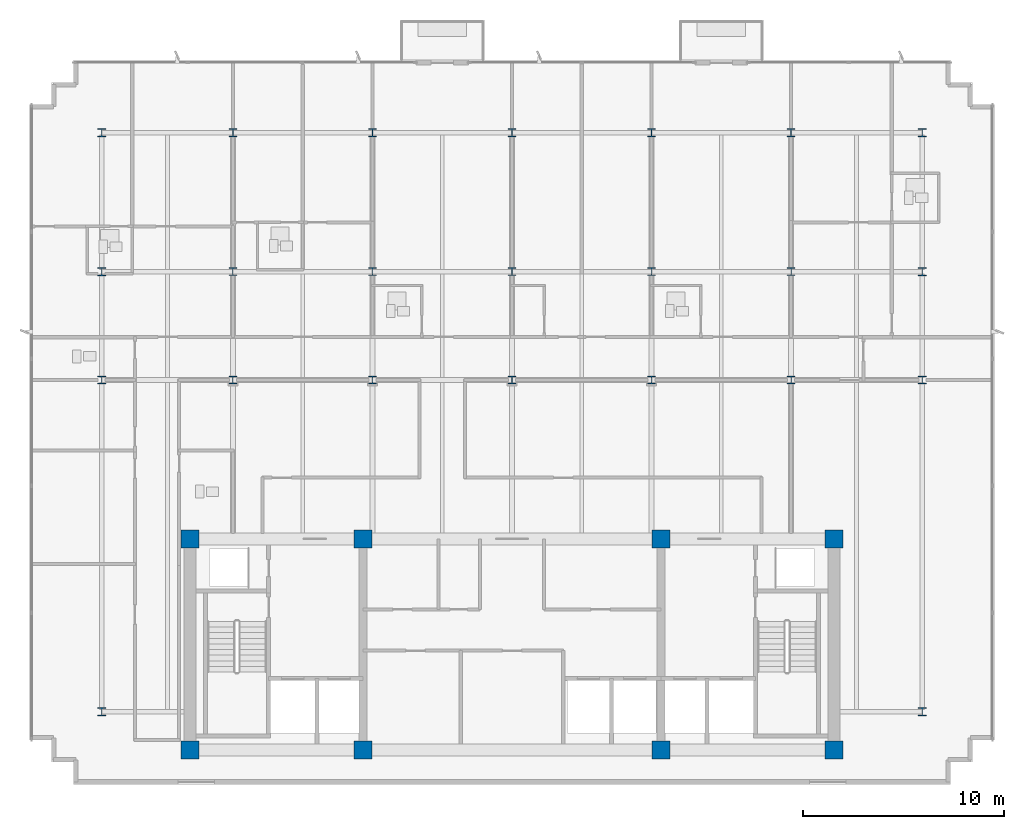
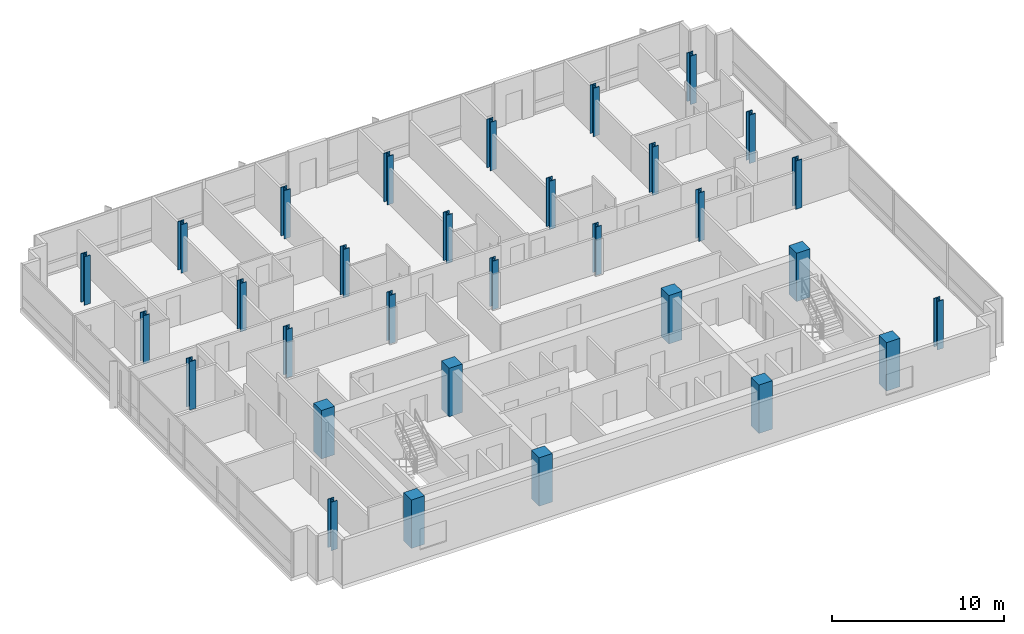
# One storey, part 1 of 14: 31 columns.
"""IFC4 building model written with IfcOpenShell, lengths in metres."""

from ifc_helpers import new_model, si_unit, direction, frame, origin, origin_2d, place, context, subcontext, project, spatial, rectangle, i_section, extrude, material, material_profile, profile_set, type_object, element, save


model = new_model("IFC4")

# Units and contexts
model_context = context("Model", 3, precision=1e-05, world=origin(), true_north=direction((0.0, 1.0)))
body_context = subcontext(model_context, "Body", "Model", "MODEL_VIEW")
ifc_project = project(units=[si_unit("LENGTHUNIT", "METRE"), si_unit("AREAUNIT", "SQUARE_METRE"), si_unit("VOLUMEUNIT", "CUBIC_METRE"), si_unit("PLANEANGLEUNIT", "RADIAN"), si_unit("MASSUNIT", "GRAM", prefix="KILO")], contexts=[model_context])

# Site, building, storey
site_placement = place(None, origin())
site = spatial("IfcSite", under=ifc_project, at=site_placement, CompositionType="ELEMENT")
building_placement = place(site_placement, origin())
building = spatial("IfcBuilding", under=site, at=building_placement, Name="Solmavex Isthmus Hotel", CompositionType="ELEMENT")
storey_placement = place(building_placement, frame((0.0, 0.0, 252.300048828125)))
storey = spatial("IfcBuildingStorey", under=building, at=storey_placement, Name="L68", CompositionType="ELEMENT", Elevation=252.300048828125)

# Columns
ifc_material_1 = material(Name="Concrete C50/60", Category="concrete")
ifc_material_profile_1 = material_profile(ifc_material_1, rectangle(XDim=0.89990234375, YDim=0.89990234375, at=origin_2d()), Name="RC900X900")
ifc_profile_set_1 = profile_set([ifc_material_profile_1], Name="Concrete C50/60")
column_type_1 = type_object("IfcColumnType", Name="COL-CC-900", PredefinedType="COLUMN", material=ifc_profile_set_1)
for number, where, z_axis, x_axis, name in (
    (1, (-16.0, -13.0, 0.0), (0.0, 0.0, 1.0), (1.0, 0.0, 0.0), "Core Pilaster CC-SW L68"),
    (2, (-7.39990234375, -13.0, 0.0), (0.0, 0.0, 1.0), (1.0, 0.0, 0.0), "Core Pilaster CC-S1 L68"),
    (3, (7.39990234375, -13.0, 0.0), (0.0, 0.0, 1.0), (1.0, 0.0, 0.0), "Core Pilaster CC-S2 L68"),
    (4, (16.0, -13.0, 0.0), (0.0, 0.0, 1.0), (1.0, 0.0, 0.0), "Core Pilaster CC-SE L68"),
    (5, (-16.0, -2.5, 0.0), (0.0, 0.0, 1.0), (1.0, 0.0, 0.0), "Core Pilaster CC-NW L68"),
    (6, (-7.39990234375, -2.5, 0.0), (0.0, 0.0, 1.0), (1.0, 0.0, 0.0), "Core Pilaster CC-N1 L68"),
    (7, (7.39990234375, -2.5, 0.0), (0.0, 0.0, 1.0), (1.0, 0.0, 0.0), "Core Pilaster CC-N2 L68"),
    (8, (16.0, -2.5, 0.0), (0.0, 0.0, 1.0), (1.0, 0.0, 0.0), "Core Pilaster CC-NE L68"),
):
    element("IfcColumn", number, at=place(storey_placement, frame(where, z_axis=z_axis, x_axis=x_axis)), inside=storey, type_object=column_type_1, Name=name, PredefinedType="COLUMN", context=body_context, shape_type="SweptSolid", body=[
        extrude(rectangle(XDim=0.89990234375, YDim=0.89990234375, at=origin_2d()), origin(), (0.0, 0.0, 1.0), 3.449951171875),
    ])
ifc_material_2 = material(Name="Steel ASTM A913 Grade 65", Category="steel")
ifc_material_profile_2 = material_profile(ifc_material_2, i_section(OverallWidth=0.4013671875, OverallDepth=0.3994140625, WebThickness=0.02490234375, FlangeThickness=0.03955078125, FilletRadius=0.030517578125, at=origin_2d()), Name="W14X211")
ifc_profile_set_2 = profile_set([ifc_material_profile_2], Name="Steel ASTM A913 Grade 65")
column_type_2 = type_object("IfcColumnType", Name="COL-SC-W14X211", PredefinedType="COLUMN", material=ifc_profile_set_2)
for number, where, z_axis, x_axis, name in (
    (9, (-13.8720703125, 5.39990234375, 0.0), (0.0, 0.0, 1.0), (1.0, 0.0, 0.0), "Tower Column B5-U2V2 L68"),
    (10, (-13.8720703125, 10.7880859375, 0.0), (0.0, 0.0, 1.0), (1.0, 0.0, 0.0), "Tower Column B5-U2V3 L68"),
    (11, (-6.93603515625, 5.39990234375, 0.0), (0.0, 0.0, 1.0), (1.0, 0.0, 0.0), "Tower Column B5-U3V2 L68"),
    (12, (-6.93603515625, 10.7880859375, 0.0), (0.0, 0.0, 1.0), (1.0, 0.0, 0.0), "Tower Column B5-U3V3 L68"),
    (13, (0.0, 5.39990234375, 0.0), (0.0, 0.0, 1.0), (1.0, 0.0, 0.0), "Tower Column B5-U4V2 L68"),
    (14, (0.0, 10.7880859375, 0.0), (0.0, 0.0, 1.0), (1.0, 0.0, 0.0), "Tower Column B5-U4V3 L68"),
    (15, (6.93603515625, 5.39990234375, 0.0), (0.0, 0.0, 1.0), (1.0, 0.0, 0.0), "Tower Column B5-U5V2 L68"),
    (16, (6.93603515625, 10.7880859375, 0.0), (0.0, 0.0, 1.0), (1.0, 0.0, 0.0), "Tower Column B5-U5V3 L68"),
    (17, (13.8720703125, 5.39990234375, 0.0), (0.0, 0.0, 1.0), (1.0, 0.0, 0.0), "Tower Column B5-U6V2 L68"),
    (18, (13.8720703125, 10.7880859375, 0.0), (0.0, 0.0, 1.0), (1.0, 0.0, 0.0), "Tower Column B5-U6V3 L68"),
):
    element("IfcColumn", number, at=place(storey_placement, frame(where, z_axis=z_axis, x_axis=x_axis)), inside=storey, type_object=column_type_2, Name=name, PredefinedType="COLUMN", context=body_context, shape_type="SweptSolid", body=[
        extrude(i_section(OverallWidth=0.4013671875, OverallDepth=0.3994140625, WebThickness=0.02490234375, FlangeThickness=0.03955078125, FilletRadius=0.030517578125, at=origin_2d()), origin(), (0.0, 0.0, 1.0), 3.449951171875),
    ])
ifc_material_profile_3 = material_profile(ifc_material_2, i_section(OverallWidth=0.40625, OverallDepth=0.416015625, WebThickness=0.02978515625, FlangeThickness=0.048095703125, FilletRadius=0.030517578125, at=origin_2d()), Name="W14X257")
ifc_profile_set_3 = profile_set([ifc_material_profile_3], Name="Steel ASTM A913 Grade 65")
column_type_3 = type_object("IfcColumnType", Name="COL-SC-W14X257", PredefinedType="COLUMN", material=ifc_profile_set_3)
for number, where, z_axis, x_axis, name in (
    (19, (-20.39990234375, -11.10009765625, 0.0), (0.0, 0.0, 1.0), (1.0, 0.0, 0.0), "Tower Column B5-U1V1 L68"),
    (20, (-20.39990234375, 5.39990234375, 0.0), (0.0, 0.0, 1.0), (1.0, 0.0, 0.0), "Tower Column B5-U1V2 L68"),
    (21, (-20.39990234375, 10.7880859375, 0.0), (0.0, 0.0, 1.0), (1.0, 0.0, 0.0), "Tower Column B5-U1V3 L68"),
    (22, (-20.39990234375, 17.699951171875, 0.0), (0.0, 0.0, 1.0), (1.0, 0.0, 0.0), "Tower Column B5-U1V4 L68"),
    (23, (-13.8720703125, 17.699951171875, 0.0), (0.0, 0.0, 1.0), (1.0, 0.0, 0.0), "Tower Column B5-U2V4 L68"),
    (24, (-6.93603515625, 17.699951171875, 0.0), (0.0, 0.0, 1.0), (1.0, 0.0, 0.0), "Tower Column B5-U3V4 L68"),
    (25, (0.0, 17.699951171875, 0.0), (0.0, 0.0, 1.0), (1.0, 0.0, 0.0), "Tower Column B5-U4V4 L68"),
    (26, (6.93603515625, 17.699951171875, 0.0), (0.0, 0.0, 1.0), (1.0, 0.0, 0.0), "Tower Column B5-U5V4 L68"),
    (27, (13.8720703125, 17.699951171875, 0.0), (0.0, 0.0, 1.0), (1.0, 0.0, 0.0), "Tower Column B5-U6V4 L68"),
    (28, (20.39990234375, -11.10009765625, 0.0), (0.0, 0.0, 1.0), (1.0, 0.0, 0.0), "Tower Column B5-U7V1 L68"),
    (29, (20.39990234375, 5.39990234375, 0.0), (0.0, 0.0, 1.0), (1.0, 0.0, 0.0), "Tower Column B5-U7V2 L68"),
    (30, (20.39990234375, 10.7880859375, 0.0), (0.0, 0.0, 1.0), (1.0, 0.0, 0.0), "Tower Column B5-U7V3 L68"),
    (31, (20.39990234375, 17.699951171875, 0.0), (0.0, 0.0, 1.0), (1.0, 0.0, 0.0), "Tower Column B5-U7V4 L68"),
):
    element("IfcColumn", number, at=place(storey_placement, frame(where, z_axis=z_axis, x_axis=x_axis)), inside=storey, type_object=column_type_3, Name=name, PredefinedType="COLUMN", context=body_context, shape_type="SweptSolid", body=[
        extrude(i_section(OverallWidth=0.40625, OverallDepth=0.416015625, WebThickness=0.02978515625, FlangeThickness=0.048095703125, FilletRadius=0.030517578125, at=origin_2d()), origin(), (0.0, 0.0, 1.0), 3.449951171875),
    ])

save(model, "model.ifc")
